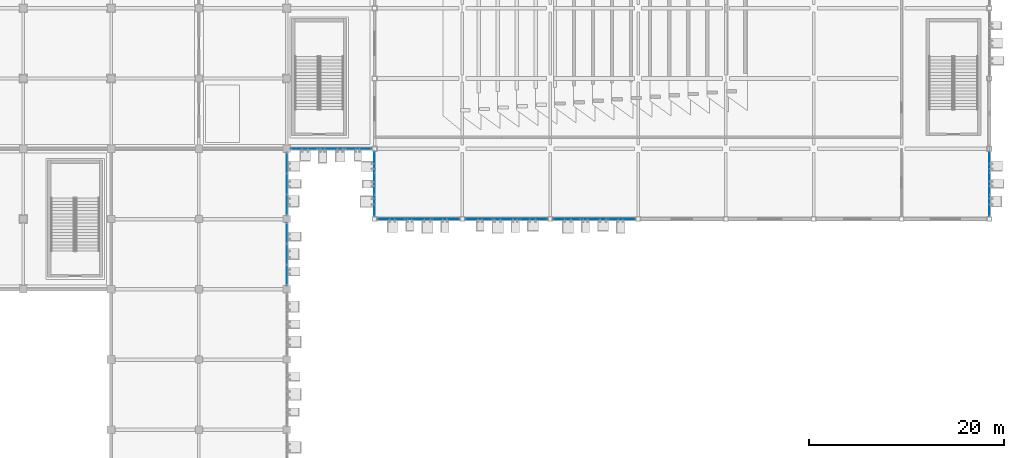
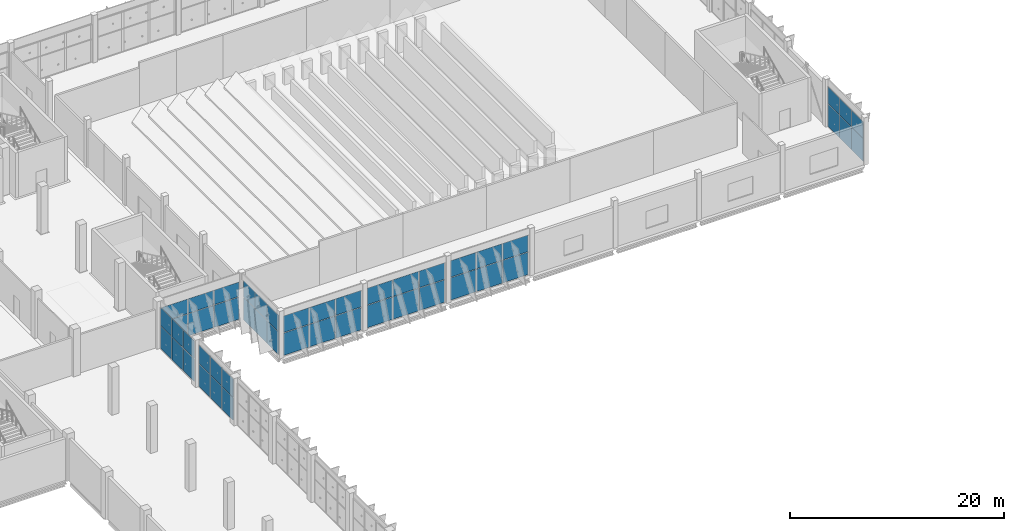
# One storey, part 118 of 189: 48 plates, 8 elements without a shape of their own.
"""IFC4 building model written with IfcOpenShell, lengths in metres."""

from ifc_helpers import new_model, si_unit, direction, frame, origin, origin_2d, place, context, subcontext, project, spatial, rectangle, extrude, material, layer, layer_set, type_object, element, aggregate, save


model = new_model("IFC4")

# Units and contexts
model_context = context("Model", 3, precision=1e-05, world=origin(), true_north=direction((0.0, 1.0)))
body_context = subcontext(model_context, "Body", "Model", "MODEL_VIEW")
ifc_project = project(units=[si_unit("LENGTHUNIT", "METRE"), si_unit("AREAUNIT", "SQUARE_METRE"), si_unit("VOLUMEUNIT", "CUBIC_METRE"), si_unit("PLANEANGLEUNIT", "RADIAN"), si_unit("MASSUNIT", "GRAM", prefix="KILO")], contexts=[model_context])

# Site, building, storey
site_placement = place(None, origin())
site = spatial("IfcSite", under=ifc_project, at=site_placement, CompositionType="ELEMENT")
building_placement = place(site_placement, origin())
building = spatial("IfcBuilding", under=site, at=building_placement, Name="Celestram Park Convention Centre", CompositionType="ELEMENT")
storey_placement = place(building_placement, frame((0.0, 0.0, 5.39990234375)))
storey = spatial("IfcBuildingStorey", under=building, at=storey_placement, Name="L01", CompositionType="ELEMENT", Elevation=5.39990234375)

# Curtain wall, plates
ifc_material_1 = material(Name="Anodised Aluminium Alloy 6063-T6", Category="aluminium")
ifc_layer_1 = layer(ifc_material_1, 0.179931640625)
ifc_layer_set_1 = layer_set([ifc_layer_1], Name="Anodised Aluminium Alloy 6063-T6")
curtain_wall_type_1 = type_object("IfcCurtainWallType", Name="ARC-CW-670X462", PredefinedType="NOTDEFINED", material=ifc_layer_set_1)
curtain_wall_1_placement = place(storey_placement, origin())
curtain_wall_1 = element("IfcCurtainWall", 1, at=curtain_wall_1_placement, inside=storey, type_object=curtain_wall_type_1, Name="Unitised curtain wall CU-L01-080", PredefinedType="NOTDEFINED")
ifc_material_2 = material(Name="Insulated Glazing Unit 28 mm", Category="glass")
ifc_layer_2 = layer(ifc_material_2, 0.028076171875)
ifc_layer_set_2 = layer_set([ifc_layer_2], Name="Insulated Glazing Unit 28 mm")
plate_type_1 = type_object("IfcPlateType", Name="ARC-CWP-IGU28", PredefinedType="CURTAIN_PANEL", material=ifc_layer_set_2)
plate_1_placement = place(storey_placement, frame((216.0, 121.018310546875, 0.06005859375), z_axis=(0.0, 0.0, 1.0), x_axis=(0.0, -1.0, 0.0)))
plate_1 = element("IfcPlate", 2, at=plate_1_placement, type_object=plate_type_1, Name="CW-67X46 panel 1.1", PredefinedType="CURTAIN_PANEL", context=body_context, shape_type="SweptSolid", body=[
    extrude(rectangle(XDim=2.13720703125, YDim=0.028076171875, at=origin_2d()), origin(), (0.0, 0.0, 1.0), 2.56005859375),
])
plate_2_placement = place(storey_placement, frame((216.0, 121.018310546875, 2.68017578125), z_axis=(0.0, 0.0, 1.0), x_axis=(0.0, -1.0, 0.0)))
plate_2 = element("IfcPlate", 3, at=plate_2_placement, type_object=plate_type_1, Name="CW-67X46 panel 1.2", PredefinedType="CURTAIN_PANEL", context=body_context, shape_type="SweptSolid", body=[
    extrude(rectangle(XDim=2.13720703125, YDim=0.028076171875, at=origin_2d()), origin(), (0.0, 0.0, 1.0), 1.884033203125),
])
plate_3_placement = place(storey_placement, frame((216.0, 118.800048828125, 0.06005859375), z_axis=(0.0, 0.0, 1.0), x_axis=(0.0, -1.0, 0.0)))
plate_3 = element("IfcPlate", 4, at=plate_3_placement, type_object=plate_type_1, Name="CW-67X46 panel 2.1", PredefinedType="CURTAIN_PANEL", context=body_context, shape_type="SweptSolid", body=[
    extrude(rectangle(XDim=2.169677734375, YDim=0.028076171875, at=origin_2d()), origin(), (0.0, 0.0, 1.0), 2.56005859375),
])
plate_4_placement = place(storey_placement, frame((216.0, 118.800048828125, 2.68017578125), z_axis=(0.0, 0.0, 1.0), x_axis=(0.0, -1.0, 0.0)))
plate_4 = element("IfcPlate", 5, at=plate_4_placement, type_object=plate_type_1, Name="CW-67X46 panel 2.2", PredefinedType="CURTAIN_PANEL", context=body_context, shape_type="SweptSolid", body=[
    extrude(rectangle(XDim=2.169677734375, YDim=0.028076171875, at=origin_2d()), origin(), (0.0, 0.0, 1.0), 1.884033203125),
])
plate_5_placement = place(storey_placement, frame((216.0, 116.58154296875, 0.06005859375), z_axis=(0.0, 0.0, 1.0), x_axis=(0.0, -1.0, 0.0)))
plate_5 = element("IfcPlate", 6, at=plate_5_placement, type_object=plate_type_1, Name="CW-67X46 panel 3.1", PredefinedType="CURTAIN_PANEL", context=body_context, shape_type="SweptSolid", body=[
    extrude(rectangle(XDim=2.13720703125, YDim=0.028076171875, at=origin_2d()), origin(), (0.0, 0.0, 1.0), 2.56005859375),
])
plate_6_placement = place(storey_placement, frame((216.0, 116.58154296875, 2.68017578125), z_axis=(0.0, 0.0, 1.0), x_axis=(0.0, -1.0, 0.0)))
plate_6 = element("IfcPlate", 7, at=plate_6_placement, type_object=plate_type_1, Name="CW-67X46 panel 3.2", PredefinedType="CURTAIN_PANEL", context=body_context, shape_type="SweptSolid", body=[
    extrude(rectangle(XDim=2.13720703125, YDim=0.028076171875, at=origin_2d()), origin(), (0.0, 0.0, 1.0), 1.884033203125),
])
aggregate(curtain_wall_1, [plate_1, plate_2, plate_3, plate_4, plate_5, plate_6])

curtain_wall_2_placement = place(storey_placement, origin())
curtain_wall_2 = element("IfcCurtainWall", 8, at=curtain_wall_2_placement, inside=storey, type_object=curtain_wall_type_1, Name="Unitised curtain wall CU-L01-084", PredefinedType="NOTDEFINED")
plate_7_placement = place(storey_placement, frame((153.0, 116.58154296875, 0.06005859375), z_axis=(0.0, 0.0, 1.0), x_axis=(0.0, 1.0, 0.0)))
plate_7 = element("IfcPlate", 9, at=plate_7_placement, type_object=plate_type_1, Name="CW-67X46 panel 1.1", PredefinedType="CURTAIN_PANEL", context=body_context, shape_type="SweptSolid", body=[
    extrude(rectangle(XDim=2.13720703125, YDim=0.028076171875, at=origin_2d()), origin(), (0.0, 0.0, 1.0), 2.56005859375),
])
plate_8_placement = place(storey_placement, frame((153.0, 116.58154296875, 2.68017578125), z_axis=(0.0, 0.0, 1.0), x_axis=(0.0, 1.0, 0.0)))
plate_8 = element("IfcPlate", 10, at=plate_8_placement, type_object=plate_type_1, Name="CW-67X46 panel 1.2", PredefinedType="CURTAIN_PANEL", context=body_context, shape_type="SweptSolid", body=[
    extrude(rectangle(XDim=2.13720703125, YDim=0.028076171875, at=origin_2d()), origin(), (0.0, 0.0, 1.0), 1.884033203125),
])
plate_9_placement = place(storey_placement, frame((153.0, 118.800048828125, 0.06005859375), z_axis=(0.0, 0.0, 1.0), x_axis=(0.0, 1.0, 0.0)))
plate_9 = element("IfcPlate", 11, at=plate_9_placement, type_object=plate_type_1, Name="CW-67X46 panel 2.1", PredefinedType="CURTAIN_PANEL", context=body_context, shape_type="SweptSolid", body=[
    extrude(rectangle(XDim=2.169677734375, YDim=0.028076171875, at=origin_2d()), origin(), (0.0, 0.0, 1.0), 2.56005859375),
])
plate_10_placement = place(storey_placement, frame((153.0, 118.800048828125, 2.68017578125), z_axis=(0.0, 0.0, 1.0), x_axis=(0.0, 1.0, 0.0)))
plate_10 = element("IfcPlate", 12, at=plate_10_placement, type_object=plate_type_1, Name="CW-67X46 panel 2.2", PredefinedType="CURTAIN_PANEL", context=body_context, shape_type="SweptSolid", body=[
    extrude(rectangle(XDim=2.169677734375, YDim=0.028076171875, at=origin_2d()), origin(), (0.0, 0.0, 1.0), 1.884033203125),
])
plate_11_placement = place(storey_placement, frame((153.0, 121.018310546875, 0.06005859375), z_axis=(0.0, 0.0, 1.0), x_axis=(0.0, 1.0, 0.0)))
plate_11 = element("IfcPlate", 13, at=plate_11_placement, type_object=plate_type_1, Name="CW-67X46 panel 3.1", PredefinedType="CURTAIN_PANEL", context=body_context, shape_type="SweptSolid", body=[
    extrude(rectangle(XDim=2.13720703125, YDim=0.028076171875, at=origin_2d()), origin(), (0.0, 0.0, 1.0), 2.56005859375),
])
plate_12_placement = place(storey_placement, frame((153.0, 121.018310546875, 2.68017578125), z_axis=(0.0, 0.0, 1.0), x_axis=(0.0, 1.0, 0.0)))
plate_12 = element("IfcPlate", 14, at=plate_12_placement, type_object=plate_type_1, Name="CW-67X46 panel 3.2", PredefinedType="CURTAIN_PANEL", context=body_context, shape_type="SweptSolid", body=[
    extrude(rectangle(XDim=2.13720703125, YDim=0.028076171875, at=origin_2d()), origin(), (0.0, 0.0, 1.0), 1.884033203125),
])
aggregate(curtain_wall_2, [plate_7, plate_8, plate_9, plate_10, plate_11, plate_12])

ifc_layer_3 = layer(ifc_material_1, 0.179931640625)
ifc_layer_set_3 = layer_set([ifc_layer_3], Name="Anodised Aluminium Alloy 6063-T6")
curtain_wall_type_2 = type_object("IfcCurtainWallType", Name="ARC-CW-645X476", PredefinedType="NOTDEFINED", material=ifc_layer_set_3)
curtain_wall_3_placement = place(storey_placement, origin())
curtain_wall_3 = element("IfcCurtainWall", 15, at=curtain_wall_3_placement, inside=storey, type_object=curtain_wall_type_2, Name="Unitised curtain wall CU-L01-086", PredefinedType="NOTDEFINED")
plate_13_placement = place(storey_placement, frame((144.0, 120.93505859375, 0.06005859375), z_axis=(0.0, 0.0, 1.0), x_axis=(0.0, -1.0, 0.0)))
plate_13 = element("IfcPlate", 16, at=plate_13_placement, type_object=plate_type_1, Name="CW-64X47 panel 1.1", PredefinedType="CURTAIN_PANEL", context=body_context, shape_type="SweptSolid", body=[
    extrude(rectangle(XDim=2.053955078125, YDim=0.028076171875, at=origin_2d()), origin(), (0.0, 0.0, 1.0), 2.56005859375),
])
plate_14_placement = place(storey_placement, frame((144.0, 120.93505859375, 2.68017578125), z_axis=(0.0, 0.0, 1.0), x_axis=(0.0, -1.0, 0.0)))
plate_14 = element("IfcPlate", 17, at=plate_14_placement, type_object=plate_type_1, Name="CW-64X47 panel 1.2", PredefinedType="CURTAIN_PANEL", context=body_context, shape_type="SweptSolid", body=[
    extrude(rectangle(XDim=2.053955078125, YDim=0.028076171875, at=origin_2d()), origin(), (0.0, 0.0, 1.0), 2.02392578125),
])
plate_15_placement = place(storey_placement, frame((144.0, 118.800048828125, 0.06005859375), z_axis=(0.0, 0.0, 1.0), x_axis=(0.0, -1.0, 0.0)))
plate_15 = element("IfcPlate", 18, at=plate_15_placement, type_object=plate_type_1, Name="CW-64X47 panel 2.1", PredefinedType="CURTAIN_PANEL", context=body_context, shape_type="SweptSolid", body=[
    extrude(rectangle(XDim=2.08642578125, YDim=0.028076171875, at=origin_2d()), origin(), (0.0, 0.0, 1.0), 2.56005859375),
])
plate_16_placement = place(storey_placement, frame((144.0, 118.800048828125, 2.68017578125), z_axis=(0.0, 0.0, 1.0), x_axis=(0.0, -1.0, 0.0)))
plate_16 = element("IfcPlate", 19, at=plate_16_placement, type_object=plate_type_1, Name="CW-64X47 panel 2.2", PredefinedType="CURTAIN_PANEL", context=body_context, shape_type="SweptSolid", body=[
    extrude(rectangle(XDim=2.08642578125, YDim=0.028076171875, at=origin_2d()), origin(), (0.0, 0.0, 1.0), 2.02392578125),
])
plate_17_placement = place(storey_placement, frame((144.0, 116.664794921875, 0.06005859375), z_axis=(0.0, 0.0, 1.0), x_axis=(0.0, -1.0, 0.0)))
plate_17 = element("IfcPlate", 20, at=plate_17_placement, type_object=plate_type_1, Name="CW-64X47 panel 3.1", PredefinedType="CURTAIN_PANEL", context=body_context, shape_type="SweptSolid", body=[
    extrude(rectangle(XDim=2.053955078125, YDim=0.028076171875, at=origin_2d()), origin(), (0.0, 0.0, 1.0), 2.56005859375),
])
plate_18_placement = place(storey_placement, frame((144.0, 116.664794921875, 2.68017578125), z_axis=(0.0, 0.0, 1.0), x_axis=(0.0, -1.0, 0.0)))
plate_18 = element("IfcPlate", 21, at=plate_18_placement, type_object=plate_type_1, Name="CW-64X47 panel 3.2", PredefinedType="CURTAIN_PANEL", context=body_context, shape_type="SweptSolid", body=[
    extrude(rectangle(XDim=2.053955078125, YDim=0.028076171875, at=origin_2d()), origin(), (0.0, 0.0, 1.0), 2.02392578125),
])
aggregate(curtain_wall_3, [plate_13, plate_14, plate_15, plate_16, plate_17, plate_18])

ifc_layer_4 = layer(ifc_material_1, 0.179931640625)
ifc_layer_set_4 = layer_set([ifc_layer_4], Name="Anodised Aluminium Alloy 6063-T6")
curtain_wall_type_3 = type_object("IfcCurtainWallType", Name="ARC-CW-645X482", PredefinedType="NOTDEFINED", material=ifc_layer_set_4)
curtain_wall_4_placement = place(storey_placement, origin())
curtain_wall_4 = element("IfcCurtainWall", 22, at=curtain_wall_4_placement, inside=storey, type_object=curtain_wall_type_3, Name="Unitised curtain wall CU-L01-087", PredefinedType="NOTDEFINED")
plate_19_placement = place(storey_placement, frame((144.0, 113.735107421875, 0.06005859375), z_axis=(0.0, 0.0, 1.0), x_axis=(0.0, -1.0, 0.0)))
plate_19 = element("IfcPlate", 23, at=plate_19_placement, type_object=plate_type_1, Name="CW-64X48 panel 1.1", PredefinedType="CURTAIN_PANEL", context=body_context, shape_type="SweptSolid", body=[
    extrude(rectangle(XDim=2.053955078125, YDim=0.028076171875, at=origin_2d()), origin(), (0.0, 0.0, 1.0), 2.56005859375),
])
plate_20_placement = place(storey_placement, frame((144.0, 113.735107421875, 2.68017578125), z_axis=(0.0, 0.0, 1.0), x_axis=(0.0, -1.0, 0.0)))
plate_20 = element("IfcPlate", 24, at=plate_20_placement, type_object=plate_type_1, Name="CW-64X48 panel 1.2", PredefinedType="CURTAIN_PANEL", context=body_context, shape_type="SweptSolid", body=[
    extrude(rectangle(XDim=2.053955078125, YDim=0.028076171875, at=origin_2d()), origin(), (0.0, 0.0, 1.0), 2.080078125),
])
plate_21_placement = place(storey_placement, frame((144.0, 111.60009765625, 0.06005859375), z_axis=(0.0, 0.0, 1.0), x_axis=(0.0, -1.0, 0.0)))
plate_21 = element("IfcPlate", 25, at=plate_21_placement, type_object=plate_type_1, Name="CW-64X48 panel 2.1", PredefinedType="CURTAIN_PANEL", context=body_context, shape_type="SweptSolid", body=[
    extrude(rectangle(XDim=2.08642578125, YDim=0.028076171875, at=origin_2d()), origin(), (0.0, 0.0, 1.0), 2.56005859375),
])
plate_22_placement = place(storey_placement, frame((144.0, 111.60009765625, 2.68017578125), z_axis=(0.0, 0.0, 1.0), x_axis=(0.0, -1.0, 0.0)))
plate_22 = element("IfcPlate", 26, at=plate_22_placement, type_object=plate_type_1, Name="CW-64X48 panel 2.2", PredefinedType="CURTAIN_PANEL", context=body_context, shape_type="SweptSolid", body=[
    extrude(rectangle(XDim=2.08642578125, YDim=0.028076171875, at=origin_2d()), origin(), (0.0, 0.0, 1.0), 2.080078125),
])
plate_23_placement = place(storey_placement, frame((144.0, 109.46484375, 0.06005859375), z_axis=(0.0, 0.0, 1.0), x_axis=(0.0, -1.0, 0.0)))
plate_23 = element("IfcPlate", 27, at=plate_23_placement, type_object=plate_type_1, Name="CW-64X48 panel 3.1", PredefinedType="CURTAIN_PANEL", context=body_context, shape_type="SweptSolid", body=[
    extrude(rectangle(XDim=2.053955078125, YDim=0.028076171875, at=origin_2d()), origin(), (0.0, 0.0, 1.0), 2.56005859375),
])
plate_24_placement = place(storey_placement, frame((144.0, 109.46484375, 2.68017578125), z_axis=(0.0, 0.0, 1.0), x_axis=(0.0, -1.0, 0.0)))
plate_24 = element("IfcPlate", 28, at=plate_24_placement, type_object=plate_type_1, Name="CW-64X48 panel 3.2", PredefinedType="CURTAIN_PANEL", context=body_context, shape_type="SweptSolid", body=[
    extrude(rectangle(XDim=2.053955078125, YDim=0.028076171875, at=origin_2d()), origin(), (0.0, 0.0, 1.0), 2.080078125),
])
aggregate(curtain_wall_4, [plate_19, plate_20, plate_21, plate_22, plate_23, plate_24])

ifc_layer_5 = layer(ifc_material_1, 0.179931640625)
ifc_layer_set_5 = layer_set([ifc_layer_5], Name="Anodised Aluminium Alloy 6063-T6")
curtain_wall_type_4 = type_object("IfcCurtainWallType", Name="ARC-CW-850X462", PredefinedType="NOTDEFINED", material=ifc_layer_set_5)
curtain_wall_5_placement = place(storey_placement, origin())
curtain_wall_5 = element("IfcCurtainWall", 29, at=curtain_wall_5_placement, inside=storey, type_object=curtain_wall_type_4, Name="Unitised curtain wall CU-L01-081", PredefinedType="NOTDEFINED")
ifc_material_3 = material(Name="Insulated Glazing Unit 38 mm", Category="glass")
ifc_layer_6 = layer(ifc_material_3, 0.0380859375)
ifc_layer_set_6 = layer_set([ifc_layer_6], Name="Insulated Glazing Unit 38 mm")
plate_type_2 = type_object("IfcPlateType", Name="ARC-CWP-IGU38", PredefinedType="CURTAIN_PANEL", material=ifc_layer_set_6)
plate_25_placement = place(storey_placement, frame((178.31591796875, 115.199951171875, 0.06494140625), z_axis=(0.0, 0.0, 1.0), x_axis=(-1.0, 0.0, 0.0)))
plate_25 = element("IfcPlate", 30, at=plate_25_placement, type_object=plate_type_2, Name="CW-85X46 panel 1.1", PredefinedType="CURTAIN_PANEL", context=body_context, shape_type="SweptSolid", body=[
    extrude(rectangle(XDim=2.72216796875, YDim=0.0380859375, at=origin_2d()), origin(), (0.0, 0.0, 1.0), 2.552490234375),
])
plate_26_placement = place(storey_placement, frame((178.31591796875, 115.199951171875, 2.6826171875), z_axis=(0.0, 0.0, 1.0), x_axis=(-1.0, 0.0, 0.0)))
plate_26 = element("IfcPlate", 31, at=plate_26_placement, type_object=plate_type_2, Name="CW-85X46 panel 1.2", PredefinedType="CURTAIN_PANEL", context=body_context, shape_type="SweptSolid", body=[
    extrude(rectangle(XDim=2.72216796875, YDim=0.0380859375, at=origin_2d()), origin(), (0.0, 0.0, 1.0), 1.87646484375),
])
plate_27_placement = place(storey_placement, frame((175.5, 115.199951171875, 0.06494140625), z_axis=(0.0, 0.0, 1.0), x_axis=(-1.0, 0.0, 0.0)))
plate_27 = element("IfcPlate", 32, at=plate_27_placement, type_object=plate_type_2, Name="CW-85X46 panel 2.1", PredefinedType="CURTAIN_PANEL", context=body_context, shape_type="SweptSolid", body=[
    extrude(rectangle(XDim=2.759765625, YDim=0.0380859375, at=origin_2d()), origin(), (0.0, 0.0, 1.0), 2.552490234375),
])
plate_28_placement = place(storey_placement, frame((175.5, 115.199951171875, 2.6826171875), z_axis=(0.0, 0.0, 1.0), x_axis=(-1.0, 0.0, 0.0)))
plate_28 = element("IfcPlate", 33, at=plate_28_placement, type_object=plate_type_2, Name="CW-85X46 panel 2.2", PredefinedType="CURTAIN_PANEL", context=body_context, shape_type="SweptSolid", body=[
    extrude(rectangle(XDim=2.759765625, YDim=0.0380859375, at=origin_2d()), origin(), (0.0, 0.0, 1.0), 1.87646484375),
])
plate_29_placement = place(storey_placement, frame((172.68408203125, 115.199951171875, 0.06494140625), z_axis=(0.0, 0.0, 1.0), x_axis=(-1.0, 0.0, 0.0)))
plate_29 = element("IfcPlate", 34, at=plate_29_placement, type_object=plate_type_2, Name="CW-85X46 panel 3.1", PredefinedType="CURTAIN_PANEL", context=body_context, shape_type="SweptSolid", body=[
    extrude(rectangle(XDim=2.72216796875, YDim=0.0380859375, at=origin_2d()), origin(), (0.0, 0.0, 1.0), 2.552490234375),
])
plate_30_placement = place(storey_placement, frame((172.68408203125, 115.199951171875, 2.6826171875), z_axis=(0.0, 0.0, 1.0), x_axis=(-1.0, 0.0, 0.0)))
plate_30 = element("IfcPlate", 35, at=plate_30_placement, type_object=plate_type_2, Name="CW-85X46 panel 3.2", PredefinedType="CURTAIN_PANEL", context=body_context, shape_type="SweptSolid", body=[
    extrude(rectangle(XDim=2.72216796875, YDim=0.0380859375, at=origin_2d()), origin(), (0.0, 0.0, 1.0), 1.87646484375),
])
aggregate(curtain_wall_5, [plate_25, plate_26, plate_27, plate_28, plate_29, plate_30])

curtain_wall_6_placement = place(storey_placement, origin())
curtain_wall_6 = element("IfcCurtainWall", 36, at=curtain_wall_6_placement, inside=storey, type_object=curtain_wall_type_4, Name="Unitised curtain wall CU-L01-082", PredefinedType="NOTDEFINED")
plate_31_placement = place(storey_placement, frame((169.31591796875, 115.199951171875, 0.06494140625), z_axis=(0.0, 0.0, 1.0), x_axis=(-1.0, 0.0, 0.0)))
plate_31 = element("IfcPlate", 37, at=plate_31_placement, type_object=plate_type_2, Name="CW-85X46 panel 1.1", PredefinedType="CURTAIN_PANEL", context=body_context, shape_type="SweptSolid", body=[
    extrude(rectangle(XDim=2.72216796875, YDim=0.0380859375, at=origin_2d()), origin(), (0.0, 0.0, 1.0), 2.552490234375),
])
plate_32_placement = place(storey_placement, frame((169.31591796875, 115.199951171875, 2.6826171875), z_axis=(0.0, 0.0, 1.0), x_axis=(-1.0, 0.0, 0.0)))
plate_32 = element("IfcPlate", 38, at=plate_32_placement, type_object=plate_type_2, Name="CW-85X46 panel 1.2", PredefinedType="CURTAIN_PANEL", context=body_context, shape_type="SweptSolid", body=[
    extrude(rectangle(XDim=2.72216796875, YDim=0.0380859375, at=origin_2d()), origin(), (0.0, 0.0, 1.0), 1.87646484375),
])
plate_33_placement = place(storey_placement, frame((166.5, 115.199951171875, 0.06494140625), z_axis=(0.0, 0.0, 1.0), x_axis=(-1.0, 0.0, 0.0)))
plate_33 = element("IfcPlate", 39, at=plate_33_placement, type_object=plate_type_2, Name="CW-85X46 panel 2.1", PredefinedType="CURTAIN_PANEL", context=body_context, shape_type="SweptSolid", body=[
    extrude(rectangle(XDim=2.759765625, YDim=0.0380859375, at=origin_2d()), origin(), (0.0, 0.0, 1.0), 2.552490234375),
])
plate_34_placement = place(storey_placement, frame((166.5, 115.199951171875, 2.6826171875), z_axis=(0.0, 0.0, 1.0), x_axis=(-1.0, 0.0, 0.0)))
plate_34 = element("IfcPlate", 40, at=plate_34_placement, type_object=plate_type_2, Name="CW-85X46 panel 2.2", PredefinedType="CURTAIN_PANEL", context=body_context, shape_type="SweptSolid", body=[
    extrude(rectangle(XDim=2.759765625, YDim=0.0380859375, at=origin_2d()), origin(), (0.0, 0.0, 1.0), 1.87646484375),
])
plate_35_placement = place(storey_placement, frame((163.68408203125, 115.199951171875, 0.06494140625), z_axis=(0.0, 0.0, 1.0), x_axis=(-1.0, 0.0, 0.0)))
plate_35 = element("IfcPlate", 41, at=plate_35_placement, type_object=plate_type_2, Name="CW-85X46 panel 3.1", PredefinedType="CURTAIN_PANEL", context=body_context, shape_type="SweptSolid", body=[
    extrude(rectangle(XDim=2.72216796875, YDim=0.0380859375, at=origin_2d()), origin(), (0.0, 0.0, 1.0), 2.552490234375),
])
plate_36_placement = place(storey_placement, frame((163.68408203125, 115.199951171875, 2.6826171875), z_axis=(0.0, 0.0, 1.0), x_axis=(-1.0, 0.0, 0.0)))
plate_36 = element("IfcPlate", 42, at=plate_36_placement, type_object=plate_type_2, Name="CW-85X46 panel 3.2", PredefinedType="CURTAIN_PANEL", context=body_context, shape_type="SweptSolid", body=[
    extrude(rectangle(XDim=2.72216796875, YDim=0.0380859375, at=origin_2d()), origin(), (0.0, 0.0, 1.0), 1.87646484375),
])
aggregate(curtain_wall_6, [plate_31, plate_32, plate_33, plate_34, plate_35, plate_36])

curtain_wall_7_placement = place(storey_placement, origin())
curtain_wall_7 = element("IfcCurtainWall", 43, at=curtain_wall_7_placement, inside=storey, type_object=curtain_wall_type_4, Name="Unitised curtain wall CU-L01-083", PredefinedType="NOTDEFINED")
plate_37_placement = place(storey_placement, frame((160.31591796875, 115.199951171875, 0.06494140625), z_axis=(0.0, 0.0, 1.0), x_axis=(-1.0, 0.0, 0.0)))
plate_37 = element("IfcPlate", 44, at=plate_37_placement, type_object=plate_type_2, Name="CW-85X46 panel 1.1", PredefinedType="CURTAIN_PANEL", context=body_context, shape_type="SweptSolid", body=[
    extrude(rectangle(XDim=2.72216796875, YDim=0.0380859375, at=origin_2d()), origin(), (0.0, 0.0, 1.0), 2.552490234375),
])
plate_38_placement = place(storey_placement, frame((160.31591796875, 115.199951171875, 2.6826171875), z_axis=(0.0, 0.0, 1.0), x_axis=(-1.0, 0.0, 0.0)))
plate_38 = element("IfcPlate", 45, at=plate_38_placement, type_object=plate_type_2, Name="CW-85X46 panel 1.2", PredefinedType="CURTAIN_PANEL", context=body_context, shape_type="SweptSolid", body=[
    extrude(rectangle(XDim=2.72216796875, YDim=0.0380859375, at=origin_2d()), origin(), (0.0, 0.0, 1.0), 1.87646484375),
])
plate_39_placement = place(storey_placement, frame((157.5, 115.199951171875, 0.06494140625), z_axis=(0.0, 0.0, 1.0), x_axis=(-1.0, 0.0, 0.0)))
plate_39 = element("IfcPlate", 46, at=plate_39_placement, type_object=plate_type_2, Name="CW-85X46 panel 2.1", PredefinedType="CURTAIN_PANEL", context=body_context, shape_type="SweptSolid", body=[
    extrude(rectangle(XDim=2.759765625, YDim=0.0380859375, at=origin_2d()), origin(), (0.0, 0.0, 1.0), 2.552490234375),
])
plate_40_placement = place(storey_placement, frame((157.5, 115.199951171875, 2.6826171875), z_axis=(0.0, 0.0, 1.0), x_axis=(-1.0, 0.0, 0.0)))
plate_40 = element("IfcPlate", 47, at=plate_40_placement, type_object=plate_type_2, Name="CW-85X46 panel 2.2", PredefinedType="CURTAIN_PANEL", context=body_context, shape_type="SweptSolid", body=[
    extrude(rectangle(XDim=2.759765625, YDim=0.0380859375, at=origin_2d()), origin(), (0.0, 0.0, 1.0), 1.87646484375),
])
plate_41_placement = place(storey_placement, frame((154.68408203125, 115.199951171875, 0.06494140625), z_axis=(0.0, 0.0, 1.0), x_axis=(-1.0, 0.0, 0.0)))
plate_41 = element("IfcPlate", 48, at=plate_41_placement, type_object=plate_type_2, Name="CW-85X46 panel 3.1", PredefinedType="CURTAIN_PANEL", context=body_context, shape_type="SweptSolid", body=[
    extrude(rectangle(XDim=2.72216796875, YDim=0.0380859375, at=origin_2d()), origin(), (0.0, 0.0, 1.0), 2.552490234375),
])
plate_42_placement = place(storey_placement, frame((154.68408203125, 115.199951171875, 2.6826171875), z_axis=(0.0, 0.0, 1.0), x_axis=(-1.0, 0.0, 0.0)))
plate_42 = element("IfcPlate", 49, at=plate_42_placement, type_object=plate_type_2, Name="CW-85X46 panel 3.2", PredefinedType="CURTAIN_PANEL", context=body_context, shape_type="SweptSolid", body=[
    extrude(rectangle(XDim=2.72216796875, YDim=0.0380859375, at=origin_2d()), origin(), (0.0, 0.0, 1.0), 1.87646484375),
])
aggregate(curtain_wall_7, [plate_37, plate_38, plate_39, plate_40, plate_41, plate_42])

ifc_layer_7 = layer(ifc_material_1, 0.179931640625)
ifc_layer_set_7 = layer_set([ifc_layer_7], Name="Anodised Aluminium Alloy 6063-T6")
curtain_wall_type_5 = type_object("IfcCurtainWallType", Name="ARC-CW-838X437", PredefinedType="NOTDEFINED", material=ifc_layer_set_7)
curtain_wall_8_placement = place(storey_placement, origin())
curtain_wall_8 = element("IfcCurtainWall", 50, at=curtain_wall_8_placement, inside=storey, type_object=curtain_wall_type_5, Name="Unitised curtain wall CU-L01-085", PredefinedType="NOTDEFINED")
plate_43_placement = place(storey_placement, frame((151.336669921875, 122.39990234375, 0.065185546875), z_axis=(0.0, 0.0, 1.0), x_axis=(-1.0, 0.0, 0.0)))
plate_43 = element("IfcPlate", 51, at=plate_43_placement, type_object=plate_type_2, Name="CW-83X43 panel 1.1", PredefinedType="CURTAIN_PANEL", context=body_context, shape_type="SweptSolid", body=[
    extrude(rectangle(XDim=2.680419921875, YDim=0.0380859375, at=origin_2d()), origin(), (0.0, 0.0, 1.0), 2.5234375),
])
plate_44_placement = place(storey_placement, frame((151.336669921875, 122.39990234375, 2.653564453125), z_axis=(0.0, 0.0, 1.0), x_axis=(-1.0, 0.0, 0.0)))
plate_44 = element("IfcPlate", 52, at=plate_44_placement, type_object=plate_type_2, Name="CW-83X43 panel 1.2", PredefinedType="CURTAIN_PANEL", context=body_context, shape_type="SweptSolid", body=[
    extrude(rectangle(XDim=2.680419921875, YDim=0.0380859375, at=origin_2d()), origin(), (0.0, 0.0, 1.0), 1.6494140625),
])
plate_45_placement = place(storey_placement, frame((148.5625, 122.39990234375, 0.065185546875), z_axis=(0.0, 0.0, 1.0), x_axis=(-1.0, 0.0, 0.0)))
plate_45 = element("IfcPlate", 53, at=plate_45_placement, type_object=plate_type_2, Name="CW-83X43 panel 2.1", PredefinedType="CURTAIN_PANEL", context=body_context, shape_type="SweptSolid", body=[
    extrude(rectangle(XDim=2.718017578125, YDim=0.0380859375, at=origin_2d()), origin(), (0.0, 0.0, 1.0), 2.5234375),
])
plate_46_placement = place(storey_placement, frame((148.5625, 122.39990234375, 2.653564453125), z_axis=(0.0, 0.0, 1.0), x_axis=(-1.0, 0.0, 0.0)))
plate_46 = element("IfcPlate", 54, at=plate_46_placement, type_object=plate_type_2, Name="CW-83X43 panel 2.2", PredefinedType="CURTAIN_PANEL", context=body_context, shape_type="SweptSolid", body=[
    extrude(rectangle(XDim=2.718017578125, YDim=0.0380859375, at=origin_2d()), origin(), (0.0, 0.0, 1.0), 1.6494140625),
])
plate_47_placement = place(storey_placement, frame((145.788330078125, 122.39990234375, 0.065185546875), z_axis=(0.0, 0.0, 1.0), x_axis=(-1.0, 0.0, 0.0)))
plate_47 = element("IfcPlate", 55, at=plate_47_placement, type_object=plate_type_2, Name="CW-83X43 panel 3.1", PredefinedType="CURTAIN_PANEL", context=body_context, shape_type="SweptSolid", body=[
    extrude(rectangle(XDim=2.680419921875, YDim=0.0380859375, at=origin_2d()), origin(), (0.0, 0.0, 1.0), 2.5234375),
])
plate_48_placement = place(storey_placement, frame((145.788330078125, 122.39990234375, 2.653564453125), z_axis=(0.0, 0.0, 1.0), x_axis=(-1.0, 0.0, 0.0)))
plate_48 = element("IfcPlate", 56, at=plate_48_placement, type_object=plate_type_2, Name="CW-83X43 panel 3.2", PredefinedType="CURTAIN_PANEL", context=body_context, shape_type="SweptSolid", body=[
    extrude(rectangle(XDim=2.680419921875, YDim=0.0380859375, at=origin_2d()), origin(), (0.0, 0.0, 1.0), 1.6494140625),
])
aggregate(curtain_wall_8, [plate_43, plate_44, plate_45, plate_46, plate_47, plate_48])

save(model, "model.ifc")
